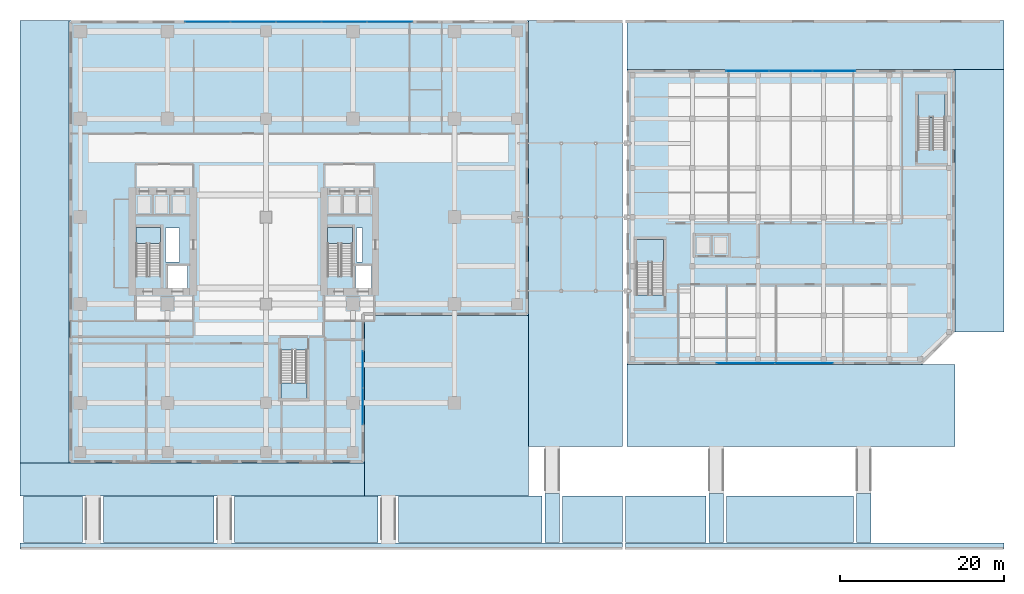
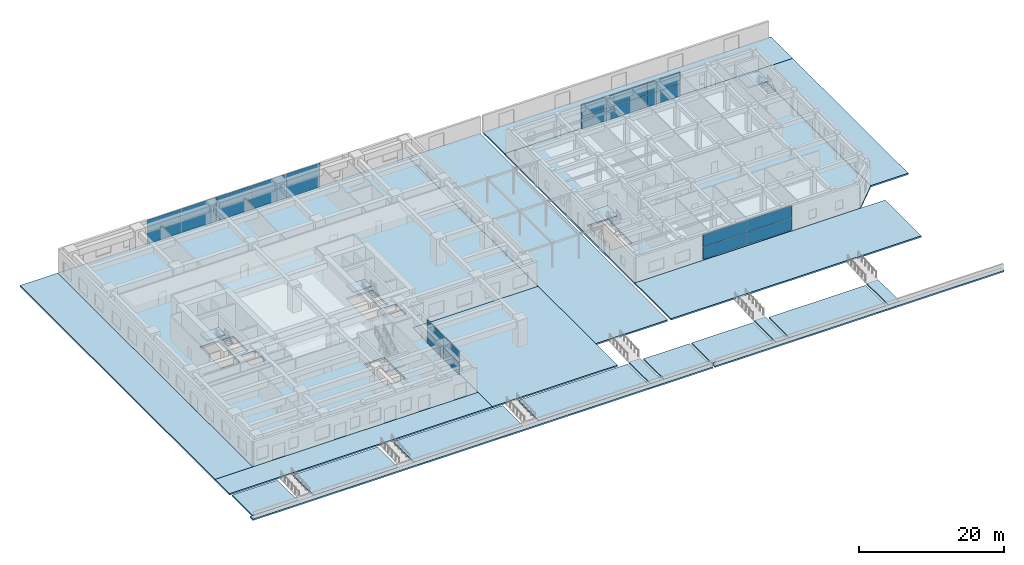
# One storey, part 22 of 39: 26 slabs, 24 plates, 9 elements without a shape of their own.
"""IFC4 building model written with IfcOpenShell, lengths in metres."""

from ifc_helpers import new_model, si_unit, direction, frame, origin, origin_2d, place, context, subcontext, project, spatial, polyline, rectangle, outline, extrude, source, transform, mapped, material, layer, layer_set, type_object, element, aggregate, save


model = new_model("IFC4")

# Units and contexts
model_context = context("Model", 3, precision=1e-05, world=origin(), true_north=direction((0.0, 1.0)))
body_context = subcontext(model_context, "Body", "Model", "MODEL_VIEW")
ifc_project = project(units=[si_unit("LENGTHUNIT", "METRE"), si_unit("AREAUNIT", "SQUARE_METRE"), si_unit("VOLUMEUNIT", "CUBIC_METRE"), si_unit("PLANEANGLEUNIT", "RADIAN"), si_unit("MASSUNIT", "GRAM", prefix="KILO")], contexts=[model_context])

# Site, building, storey
site_placement = place(None, origin())
site = spatial("IfcSite", under=ifc_project, at=site_placement, CompositionType="ELEMENT")
building_placement = place(site_placement, origin())
building = spatial("IfcBuilding", under=site, at=building_placement, Name="Khoralis Quay Care Tower", CompositionType="ELEMENT")
storey_placement = place(building_placement, origin())
storey = spatial("IfcBuildingStorey", under=building, at=storey_placement, Name="L00", CompositionType="ELEMENT", Elevation=0.0)

# Stair, slab
ifc_material_1 = material(Name="Precast concrete C45/55", Category="concrete")
stair_type_1 = type_object("IfcStairType", Name="ST-TWR-DOGLEG-1400", PredefinedType="HALF_TURN_STAIR", material=ifc_material_1)
stair_1_placement = place(storey_placement, origin())
stair_1 = element("IfcStair", 1, at=stair_1_placement, inside=storey, type_object=stair_type_1, Name="L00 West Core Exit Stair ST-T1", PredefinedType="HALF_TURN_STAIR")
ifc_layer_1 = layer(ifc_material_1, 0.199951171875)
ifc_layer_set_1 = layer_set([ifc_layer_1], Name="Precast concrete C45/55")
slab_type_1 = type_object("IfcSlabType", Name="SLB-LANDING-200", PredefinedType="LANDING", material=ifc_layer_set_1)
slab_1_placement = place(storey_placement, frame((0.0, 0.0, 2.050048828125)))
slab_1 = element("IfcSlab", 2, at=slab_1_placement, type_object=slab_type_1, Name="ST-T1 landing 1", PredefinedType="LANDING", context=body_context, shape_type="SweptSolid", body=[
    extrude(outline(polyline([(11.14990234375, 20.77001953125), (11.14990234375, 22.75), (8.14990234375, 22.75), (8.14990234375, 20.77001953125), (11.14990234375, 20.77001953125)])), origin(), (0.0, 0.0, 1.0), 0.199951171875),
])
aggregate(stair_1, [slab_1])

stair_2_placement = place(storey_placement, origin())
stair_2 = element("IfcStair", 3, at=stair_2_placement, inside=storey, type_object=stair_type_1, Name="L00 East Core Exit Stair ST-T2", PredefinedType="HALF_TURN_STAIR")
slab_2_placement = place(storey_placement, frame((0.0, 0.0, 2.050048828125)))
slab_2 = element("IfcSlab", 4, at=slab_2_placement, type_object=slab_type_1, Name="ST-T2 landing 1", PredefinedType="LANDING", context=body_context, shape_type="SweptSolid", body=[
    extrude(outline(polyline([(34.52001953125, 20.77001953125), (34.52001953125, 22.75), (31.52001953125, 22.75), (31.52001953125, 20.77001953125), (34.52001953125, 20.77001953125)])), origin(), (0.0, 0.0, 1.0), 0.199951171875),
])
aggregate(stair_2, [slab_2])

stair_type_2 = type_object("IfcStairType", Name="ST-POD-DOGLEG-1500", PredefinedType="HALF_TURN_STAIR", material=ifc_material_1)
stair_3_placement = place(storey_placement, origin())
stair_3 = element("IfcStair", 5, at=stair_3_placement, inside=storey, type_object=stair_type_2, Name="L00 Podium Clinical Stair ST-P1", PredefinedType="HALF_TURN_STAIR")
slab_3_placement = place(storey_placement, frame((0.0, 0.0, 2.050048828125)))
slab_3 = element("IfcSlab", 6, at=slab_3_placement, type_object=slab_type_1, Name="ST-P1 landing 1", PredefinedType="LANDING", context=body_context, shape_type="SweptSolid", body=[
    extrude(outline(polyline([(25.800048828125, 3.800048828125), (25.800048828125, 1.89990234375), (29.0, 1.89990234375), (29.0, 3.800048828125), (25.800048828125, 3.800048828125)])), origin(), (0.0, 0.0, 1.0), 0.199951171875),
])
aggregate(stair_3, [slab_3])

stair_type_3 = type_object("IfcStairType", Name="ST-SCH-DOGLEG-1550", PredefinedType="HALF_TURN_STAIR", material=ifc_material_1)
stair_4_placement = place(storey_placement, origin())
stair_4 = element("IfcStair", 7, at=stair_4_placement, inside=storey, type_object=stair_type_3, Name="L00 Companion School West Exit Stair ST-S1", PredefinedType="HALF_TURN_STAIR")
slab_4_placement = place(storey_placement, frame((0.0, 0.0, 2.050048828125)))
slab_4 = element("IfcSlab", 8, at=slab_4_placement, type_object=slab_type_1, Name="ST-S1 landing 1", PredefinedType="LANDING", context=body_context, shape_type="SweptSolid", body=[
    extrude(outline(polyline([(72.5, 18.47998046875), (72.5, 21.300048828125), (69.199951171875, 21.300048828125), (69.199951171875, 18.47998046875), (72.5, 18.47998046875)])), origin(), (0.0, 0.0, 1.0), 0.199951171875),
])
aggregate(stair_4, [slab_4])

stair_5_placement = place(storey_placement, origin())
stair_5 = element("IfcStair", 9, at=stair_5_placement, inside=storey, type_object=stair_type_3, Name="L00 Companion School East Exit Stair ST-S2", PredefinedType="HALF_TURN_STAIR")
slab_5_placement = place(storey_placement, frame((0.0, 0.0, 2.050048828125)))
slab_5 = element("IfcSlab", 10, at=slab_5_placement, type_object=slab_type_1, Name="ST-S2 landing 1", PredefinedType="LANDING", context=body_context, shape_type="SweptSolid", body=[
    extrude(outline(polyline([(106.800048828125, 36.179931640625), (106.800048828125, 39.0), (103.5, 39.0), (103.5, 36.179931640625), (106.800048828125, 36.179931640625)])), origin(), (0.0, 0.0, 1.0), 0.199951171875),
])
aggregate(stair_5, [slab_5])

# Slabs
ifc_material_2 = material(Name="Doha buff limestone paving on Concrete C40/50 bed", Category="masonry")
ifc_layer_2 = layer(ifc_material_2, 0.25)
ifc_layer_set_2 = layer_set([ifc_layer_2], Name="Doha buff limestone paving on Concrete C40/50 bed")
slab_type_2 = type_object("IfcSlabType", Name="SLB-PAVING-250", PredefinedType="USERDEFINED", material=ifc_layer_set_2)
slab_6_placement = place(storey_placement, frame((0.0, 0.0, -0.25)))
element("IfcSlab", 11, at=slab_6_placement, inside=storey, type_object=slab_type_2, Name="Waterfront Upper Promenade Paving SLB-QUAY-UP-0", ObjectType="PAVING", PredefinedType="USERDEFINED", context=body_context, shape_type="SweptSolid", body=[
    extrude(outline(polyline([(-6.0, -6.0), (0.0, -6.0), (0.0, 48.0), (-6.0, 48.0), (-6.0, -6.0)])), origin(), (0.0, 0.0, 1.0), 0.25),
])
slab_7_placement = place(storey_placement, frame((0.0, 0.0, -0.25)))
element("IfcSlab", 12, at=slab_7_placement, inside=storey, type_object=slab_type_2, Name="Waterfront Upper Promenade Paving SLB-QUAY-UP-1", ObjectType="PAVING", PredefinedType="USERDEFINED", context=body_context, shape_type="SweptSolid", body=[
    extrude(outline(polyline([(-6.0, -10.0), (36.0, -10.0), (36.0, -6.0), (-6.0, -6.0), (-6.0, -10.0)])), origin(), (0.0, 0.0, 1.0), 0.25),
])
slab_8_placement = place(storey_placement, frame((0.0, 0.0, -0.25)))
element("IfcSlab", 13, at=slab_8_placement, inside=storey, type_object=slab_type_2, Name="Waterfront Upper Promenade Paving SLB-QUAY-UP-2", ObjectType="PAVING", PredefinedType="USERDEFINED", context=body_context, shape_type="SweptSolid", body=[
    extrude(outline(polyline([(36.0, -10.0), (56.0, -10.0), (56.0, 12.0), (36.0, 12.0), (36.0, -10.0)])), origin(), (0.0, 0.0, 1.0), 0.25),
])
slab_9_placement = place(storey_placement, frame((0.0, 0.0, -0.25)))
element("IfcSlab", 14, at=slab_9_placement, inside=storey, type_object=slab_type_2, Name="Waterfront Upper Promenade Paving SLB-QUAY-UP-3", ObjectType="PAVING", PredefinedType="USERDEFINED", context=body_context, shape_type="SweptSolid", body=[
    extrude(outline(polyline([(56.0, -4.0), (67.47509765625, -4.0), (67.47509765625, 48.0), (56.0, 48.0), (56.0, -4.0)])), origin(), (0.0, 0.0, 1.0), 0.25),
])
slab_10_placement = place(storey_placement, frame((0.0, 0.0, -0.25)))
element("IfcSlab", 15, at=slab_10_placement, inside=storey, type_object=slab_type_2, Name="Waterfront Upper Promenade Paving SLB-QUAY-UP-4", ObjectType="PAVING", PredefinedType="USERDEFINED", context=body_context, shape_type="SweptSolid", body=[
    extrude(outline(polyline([(68.0, -4.0), (108.0, -4.0), (108.0, 6.0), (68.0, 6.0), (68.0, -4.0)])), origin(), (0.0, 0.0, 1.0), 0.25),
])
slab_11_placement = place(storey_placement, frame((0.0, 0.0, -0.25)))
element("IfcSlab", 16, at=slab_11_placement, inside=storey, type_object=slab_type_2, Name="Waterfront Upper Promenade Paving SLB-QUAY-UP-5", ObjectType="PAVING", PredefinedType="USERDEFINED", context=body_context, shape_type="SweptSolid", body=[
    extrude(outline(polyline([(108.0, 10.0), (114.0, 10.0), (114.0, 42.0), (108.0, 42.0), (108.0, 10.0)])), origin(), (0.0, 0.0, 1.0), 0.25),
])
slab_12_placement = place(storey_placement, frame((0.0, 0.0, -0.25)))
element("IfcSlab", 17, at=slab_12_placement, inside=storey, type_object=slab_type_2, Name="Waterfront Upper Promenade Paving SLB-QUAY-UP-6", ObjectType="PAVING", PredefinedType="USERDEFINED", context=body_context, shape_type="SweptSolid", body=[
    extrude(outline(polyline([(68.0, 42.0), (114.0, 42.0), (114.0, 48.0), (68.0, 48.0), (68.0, 42.0)])), origin(), (0.0, 0.0, 1.0), 0.25),
])
slab_13_placement = place(storey_placement, frame((0.0, 0.0, -0.610107421875)))
element("IfcSlab", 18, at=slab_13_placement, inside=storey, type_object=slab_type_2, Name="Waterfront Lower Quay Boardwalk Slab 1A", ObjectType="PAVING", PredefinedType="USERDEFINED", context=body_context, shape_type="SweptSolid", body=[
    extrude(outline(polyline([(-6.0, -16.5), (67.47509765625, -16.5), (67.47509765625, -15.719970703125), (-6.0, -15.719970703125), (-6.0, -16.5)])), origin(), (0.0, 0.0, 1.0), 0.25),
])
slab_14_placement = place(storey_placement, frame((0.0, 0.0, -0.610107421875)))
element("IfcSlab", 19, at=slab_14_placement, inside=storey, type_object=slab_type_2, Name="Waterfront Lower Quay Boardwalk Slab 1C", ObjectType="PAVING", PredefinedType="USERDEFINED", context=body_context, shape_type="SweptSolid", body=[
    extrude(outline(polyline([(67.824951171875, -16.5), (114.0, -16.5), (114.0, -15.719970703125), (67.824951171875, -15.719970703125), (67.824951171875, -16.5)])), origin(), (0.0, 0.0, 1.0), 0.25),
])
slab_15_placement = place(storey_placement, frame((0.0, 0.0, -0.610107421875)))
element("IfcSlab", 20, at=slab_15_placement, inside=storey, type_object=slab_type_2, Name="Quay Stepped Terrace Paving 1", ObjectType="PAVING", PredefinedType="USERDEFINED", context=body_context, shape_type="SweptSolid", body=[
    extrude(outline(polyline([(-5.60009765625, -15.699951171875), (1.639892578125, -15.699951171875), (1.639892578125, -10.02001953125), (-5.60009765625, -10.02001953125), (-5.60009765625, -15.699951171875)])), origin(), (0.0, 0.0, 1.0), 0.25),
])
slab_16_placement = place(storey_placement, frame((0.0, 0.0, -0.610107421875)))
element("IfcSlab", 21, at=slab_16_placement, inside=storey, type_object=slab_type_2, Name="Quay Stepped Terrace Paving 2", ObjectType="PAVING", PredefinedType="USERDEFINED", context=body_context, shape_type="SweptSolid", body=[
    extrude(outline(polyline([(4.159912109375, -15.699951171875), (17.639892578125, -15.699951171875), (17.639892578125, -10.02001953125), (4.159912109375, -10.02001953125), (4.159912109375, -15.699951171875)])), origin(), (0.0, 0.0, 1.0), 0.25),
])
slab_17_placement = place(storey_placement, frame((0.0, 0.0, -0.610107421875)))
element("IfcSlab", 22, at=slab_17_placement, inside=storey, type_object=slab_type_2, Name="Quay Stepped Terrace Paving 3", ObjectType="PAVING", PredefinedType="USERDEFINED", context=body_context, shape_type="SweptSolid", body=[
    extrude(outline(polyline([(20.159912109375, -15.699951171875), (37.639892578125, -15.699951171875), (37.639892578125, -10.02001953125), (20.159912109375, -10.02001953125), (20.159912109375, -15.699951171875)])), origin(), (0.0, 0.0, 1.0), 0.25),
])
slab_18_placement = place(storey_placement, frame((0.0, 0.0, -0.610107421875)))
element("IfcSlab", 23, at=slab_18_placement, inside=storey, type_object=slab_type_2, Name="Quay Stepped Terrace Paving 4", ObjectType="PAVING", PredefinedType="USERDEFINED", context=body_context, shape_type="SweptSolid", body=[
    extrude(outline(polyline([(40.159912109375, -15.699951171875), (57.639892578125, -15.699951171875), (57.639892578125, -10.02001953125), (40.159912109375, -10.02001953125), (40.159912109375, -15.699951171875)])), origin(), (0.0, 0.0, 1.0), 0.25),
])
slab_19_placement = place(storey_placement, frame((0.0, 0.0, -0.610107421875)))
element("IfcSlab", 24, at=slab_19_placement, inside=storey, type_object=slab_type_2, Name="Quay Ramp Lower Landing 4", ObjectType="PAVING", PredefinedType="USERDEFINED", context=body_context, shape_type="SweptSolid", body=[
    extrude(outline(polyline([(58.0, -15.699951171875), (59.800048828125, -15.699951171875), (59.800048828125, -9.679931640625), (58.0, -9.679931640625), (58.0, -15.699951171875)])), origin(), (0.0, 0.0, 1.0), 0.25),
])
slab_20_placement = place(storey_placement, frame((0.0, 0.0, -0.610107421875)))
element("IfcSlab", 25, at=slab_20_placement, inside=storey, type_object=slab_type_2, Name="Quay Stepped Terrace Paving 5A", ObjectType="PAVING", PredefinedType="USERDEFINED", context=body_context, shape_type="SweptSolid", body=[
    extrude(outline(polyline([(60.159912109375, -15.699951171875), (67.47509765625, -15.699951171875), (67.47509765625, -10.02001953125), (60.159912109375, -10.02001953125), (60.159912109375, -15.699951171875)])), origin(), (0.0, 0.0, 1.0), 0.25),
])
slab_21_placement = place(storey_placement, frame((0.0, 0.0, -0.610107421875)))
element("IfcSlab", 26, at=slab_21_placement, inside=storey, type_object=slab_type_2, Name="Quay Stepped Terrace Paving 5C", ObjectType="PAVING", PredefinedType="USERDEFINED", context=body_context, shape_type="SweptSolid", body=[
    extrude(outline(polyline([(67.824951171875, -15.699951171875), (77.639892578125, -15.699951171875), (77.639892578125, -10.02001953125), (67.824951171875, -10.02001953125), (67.824951171875, -15.699951171875)])), origin(), (0.0, 0.0, 1.0), 0.25),
])
slab_22_placement = place(storey_placement, frame((0.0, 0.0, -0.610107421875)))
element("IfcSlab", 27, at=slab_22_placement, inside=storey, type_object=slab_type_2, Name="Quay Ramp Lower Landing 5", ObjectType="PAVING", PredefinedType="USERDEFINED", context=body_context, shape_type="SweptSolid", body=[
    extrude(outline(polyline([(78.0, -15.699951171875), (79.800048828125, -15.699951171875), (79.800048828125, -9.679931640625), (78.0, -9.679931640625), (78.0, -15.699951171875)])), origin(), (0.0, 0.0, 1.0), 0.25),
])
slab_23_placement = place(storey_placement, frame((0.0, 0.0, -0.610107421875)))
element("IfcSlab", 28, at=slab_23_placement, inside=storey, type_object=slab_type_2, Name="Quay Stepped Terrace Paving 6", ObjectType="PAVING", PredefinedType="USERDEFINED", context=body_context, shape_type="SweptSolid", body=[
    extrude(outline(polyline([(80.159912109375, -15.699951171875), (95.639892578125, -15.699951171875), (95.639892578125, -10.02001953125), (80.159912109375, -10.02001953125), (80.159912109375, -15.699951171875)])), origin(), (0.0, 0.0, 1.0), 0.25),
])
slab_24_placement = place(storey_placement, frame((0.0, 0.0, -0.610107421875)))
element("IfcSlab", 29, at=slab_24_placement, inside=storey, type_object=slab_type_2, Name="Quay Ramp Lower Landing 6", ObjectType="PAVING", PredefinedType="USERDEFINED", context=body_context, shape_type="SweptSolid", body=[
    extrude(outline(polyline([(96.0, -15.699951171875), (97.800048828125, -15.699951171875), (97.800048828125, -9.679931640625), (96.0, -9.679931640625), (96.0, -15.699951171875)])), origin(), (0.0, 0.0, 1.0), 0.25),
])
ifc_material_3 = material(Name="Concrete C40/50", Category="concrete")
ifc_layer_3 = layer(ifc_material_3, 0.340087890625)
ifc_layer_set_3 = layer_set([ifc_layer_3], Name="Concrete C40/50")
slab_type_3 = type_object("IfcSlabType", Name="SLB-POD-340", PredefinedType="FLOOR", material=ifc_layer_set_3)
slab_25_placement = place(storey_placement, frame((0.0, 0.0, -0.340087890625)))
element("IfcSlab", 30, at=slab_25_placement, inside=storey, type_object=slab_type_3, Name="Tower Floor Slab L00", PredefinedType="FLOOR", context=body_context, shape_type="SweptSolid", body=[
    extrude(outline(polyline([(0.0, -6.0), (36.0, -6.0), (36.0, 12.0), (56.0, 12.0), (56.0, 48.0), (0.0, 48.0), (0.0, -6.0)]), holes=[polyline([(11.14990234375, 16.800048828125), (11.14990234375, 22.75), (8.14990234375, 22.75), (8.14990234375, 16.800048828125), (11.14990234375, 16.800048828125)]), polyline([(34.52001953125, 16.800048828125), (34.52001953125, 22.75), (31.52001953125, 22.75), (31.52001953125, 16.800048828125), (34.52001953125, 16.800048828125)]), polyline([(25.800048828125, 7.77001953125), (25.800048828125, 1.89990234375), (29.0, 1.89990234375), (29.0, 7.77001953125), (25.800048828125, 7.77001953125)]), polyline([(12.0, 15.35009765625), (14.39990234375, 15.35009765625), (14.39990234375, 18.050048828125), (12.0, 18.050048828125), (12.0, 15.35009765625)]), polyline([(34.919921875, 15.35009765625), (36.8798828125, 15.35009765625), (36.8798828125, 18.050048828125), (34.919921875, 18.050048828125), (34.919921875, 15.35009765625)]), polyline([(11.719970703125, 18.550048828125), (13.449951171875, 18.550048828125), (13.449951171875, 22.64990234375), (11.719970703125, 22.64990234375), (11.719970703125, 18.550048828125)]), polyline([(35.050048828125, 18.550048828125), (35.75, 18.550048828125), (35.75, 22.64990234375), (35.050048828125, 22.64990234375), (35.050048828125, 18.550048828125)])]), origin(), (0.0, 0.0, 1.0), 0.340087890625),
])
ifc_layer_4 = layer(ifc_material_3, 0.300048828125)
ifc_layer_set_4 = layer_set([ifc_layer_4], Name="Concrete C40/50")
slab_type_4 = type_object("IfcSlabType", Name="SLB-SCH-300", PredefinedType="FLOOR", material=ifc_layer_set_4)
slab_26_placement = place(storey_placement, frame((0.0, 0.0, -0.300048828125)))
element("IfcSlab", 31, at=slab_26_placement, inside=storey, type_object=slab_type_4, Name="Companion School Floor Slab L00", PredefinedType="FLOOR", context=body_context, shape_type="SweptSolid", body=[
    extrude(outline(polyline([(68.0, 6.0), (104.0, 6.0), (108.0, 10.0), (108.0, 42.0), (68.0, 42.0), (68.0, 6.0)]), holes=[polyline([(72.5, 14.510009765625), (72.5, 21.300048828125), (69.199951171875, 21.300048828125), (69.199951171875, 14.510009765625), (72.5, 14.510009765625)])]), origin(), (0.0, 0.0, 1.0), 0.300048828125),
])

# Curtain wall, plates
ifc_material_4 = material(Name="Pale anodised aluminium", Category="aluminium")
ifc_layer_5 = layer(ifc_material_4, 0.179931640625)
ifc_layer_set_5 = layer_set([ifc_layer_5], Name="Pale anodised aluminium")
curtain_wall_type_1 = type_object("IfcCurtainWallType", Name="CW-SYS-Z1", PredefinedType="NOTDEFINED", material=ifc_layer_set_5)
curtain_wall_1_placement = place(storey_placement, origin())
curtain_wall_1 = element("IfcCurtainWall", 32, at=curtain_wall_1_placement, inside=storey, type_object=curtain_wall_type_1, Name="L00 Unitised Curtain Wall CW-POD-L00-E1", PredefinedType="NOTDEFINED")
ifc_material_5 = material(Name="Low-E solar-control double glazing", Category="glass")
ifc_layer_6 = layer(ifc_material_5, 0.031982421875)
ifc_layer_set_6 = layer_set([ifc_layer_6], Name="Low-E solar-control double glazing")
plate_type = type_object("IfcPlateType", Name="PNL-VIS-32", PredefinedType="CURTAIN_PANEL", material=ifc_layer_set_6)
shared_shape_1 = source(origin(), body_context, "Body", "SweptSolid", [
    extrude(rectangle(XDim=4.409912109375, YDim=0.028076171875, at=origin_2d()), origin(), (0.0, 0.0, 1.0), 1.989990234375),
])
plate_1_placement = place(storey_placement, frame((35.81005859375, 0.955078125, 0.06005859375), z_axis=(0.0, 0.0, 1.0), x_axis=(0.0, 1.0, 0.0)))
plate_1 = element("IfcPlate", 33, at=plate_1_placement, type_object=plate_type, Name="CW1 panel 1.1", PredefinedType="CURTAIN_PANEL", context=body_context, shape_type="MappedRepresentation", body=[
    mapped(shared_shape_1, transform((0.0, 0.0, 0.0), scale=1.0)),
])
plate_2_placement = place(storey_placement, frame((35.81005859375, 0.955078125, 2.10986328125), z_axis=(0.0, 0.0, 1.0), x_axis=(0.0, 1.0, 0.0)))
plate_2 = element("IfcPlate", 34, at=plate_2_placement, type_object=plate_type, Name="CW1 panel 1.2", PredefinedType="CURTAIN_PANEL", context=body_context, shape_type="MappedRepresentation", body=[
    mapped(shared_shape_1, transform((0.0, 0.0, 0.0), scale=1.0)),
])
plate_3_placement = place(storey_placement, frame((35.81005859375, 5.425048828125, 0.06005859375), z_axis=(0.0, 0.0, 1.0), x_axis=(0.0, 1.0, 0.0)))
plate_3 = element("IfcPlate", 35, at=plate_3_placement, type_object=plate_type, Name="CW1 panel 2.1", PredefinedType="CURTAIN_PANEL", context=body_context, shape_type="MappedRepresentation", body=[
    mapped(shared_shape_1, transform((0.0, 0.0, 0.0), scale=1.0)),
])
plate_4_placement = place(storey_placement, frame((35.81005859375, 5.425048828125, 2.10986328125), z_axis=(0.0, 0.0, 1.0), x_axis=(0.0, 1.0, 0.0)))
plate_4 = element("IfcPlate", 36, at=plate_4_placement, type_object=plate_type, Name="CW1 panel 2.2", PredefinedType="CURTAIN_PANEL", context=body_context, shape_type="MappedRepresentation", body=[
    mapped(shared_shape_1, transform((0.0, 0.0, 0.0), scale=1.0)),
])
aggregate(curtain_wall_1, [plate_1, plate_2, plate_3, plate_4])

curtain_wall_2_placement = place(storey_placement, origin())
curtain_wall_2 = element("IfcCurtainWall", 37, at=curtain_wall_2_placement, inside=storey, type_object=curtain_wall_type_1, Name="L00 Unitised Curtain Wall CW-POD-L00-E4", PredefinedType="NOTDEFINED")
shared_shape_2 = source(origin(), body_context, "Body", "SweptSolid", [
    extrude(rectangle(XDim=5.471923828125, YDim=0.028076171875, at=origin_2d()), origin(), (0.0, 0.0, 1.0), 1.989990234375),
])
plate_5_placement = place(storey_placement, frame((39.10888671875, 47.81005859375, 0.06005859375), z_axis=(0.0, 0.0, 1.0), x_axis=(-1.0, 0.0, 0.0)))
plate_5 = element("IfcPlate", 38, at=plate_5_placement, type_object=plate_type, Name="CW1 panel 1.1", PredefinedType="CURTAIN_PANEL", context=body_context, shape_type="MappedRepresentation", body=[
    mapped(shared_shape_2, transform((0.0, 0.0, 0.0), scale=1.0)),
])
plate_6_placement = place(storey_placement, frame((39.10888671875, 47.81005859375, 2.10986328125), z_axis=(0.0, 0.0, 1.0), x_axis=(-1.0, 0.0, 0.0)))
plate_6 = element("IfcPlate", 39, at=plate_6_placement, type_object=plate_type, Name="CW1 panel 1.2", PredefinedType="CURTAIN_PANEL", context=body_context, shape_type="MappedRepresentation", body=[
    mapped(shared_shape_2, transform((0.0, 0.0, 0.0), scale=1.0)),
])
plate_7_placement = place(storey_placement, frame((16.89111328125, 47.81005859375, 0.06005859375), z_axis=(0.0, 0.0, 1.0), x_axis=(-1.0, 0.0, 0.0)))
plate_7 = element("IfcPlate", 40, at=plate_7_placement, type_object=plate_type, Name="CW1 panel 5.1", PredefinedType="CURTAIN_PANEL", context=body_context, shape_type="MappedRepresentation", body=[
    mapped(shared_shape_2, transform((0.0, 0.0, 0.0), scale=1.0)),
])
plate_8_placement = place(storey_placement, frame((16.89111328125, 47.81005859375, 2.10986328125), z_axis=(0.0, 0.0, 1.0), x_axis=(-1.0, 0.0, 0.0)))
plate_8 = element("IfcPlate", 41, at=plate_8_placement, type_object=plate_type, Name="CW1 panel 5.2", PredefinedType="CURTAIN_PANEL", context=body_context, shape_type="MappedRepresentation", body=[
    mapped(shared_shape_2, transform((0.0, 0.0, 0.0), scale=1.0)),
])
shared_shape_3 = source(origin(), body_context, "Body", "SweptSolid", [
    extrude(rectangle(XDim=5.501953125, YDim=0.028076171875, at=origin_2d()), origin(), (0.0, 0.0, 1.0), 1.989990234375),
])
plate_9_placement = place(storey_placement, frame((33.56201171875, 47.81005859375, 0.06005859375), z_axis=(0.0, 0.0, 1.0), x_axis=(-1.0, 0.0, 0.0)))
plate_9 = element("IfcPlate", 42, at=plate_9_placement, type_object=plate_type, Name="CW1 panel 2.1", PredefinedType="CURTAIN_PANEL", context=body_context, shape_type="MappedRepresentation", body=[
    mapped(shared_shape_3, transform((0.0, 0.0, 0.0), scale=1.0)),
])
plate_10_placement = place(storey_placement, frame((33.56201171875, 47.81005859375, 2.10986328125), z_axis=(0.0, 0.0, 1.0), x_axis=(-1.0, 0.0, 0.0)))
plate_10 = element("IfcPlate", 43, at=plate_10_placement, type_object=plate_type, Name="CW1 panel 2.2", PredefinedType="CURTAIN_PANEL", context=body_context, shape_type="MappedRepresentation", body=[
    mapped(shared_shape_3, transform((0.0, 0.0, 0.0), scale=1.0)),
])
plate_11_placement = place(storey_placement, frame((28.0, 47.81005859375, 0.06005859375), z_axis=(0.0, 0.0, 1.0), x_axis=(-1.0, 0.0, 0.0)))
plate_11 = element("IfcPlate", 44, at=plate_11_placement, type_object=plate_type, Name="CW1 panel 3.1", PredefinedType="CURTAIN_PANEL", context=body_context, shape_type="MappedRepresentation", body=[
    mapped(shared_shape_3, transform((0.0, 0.0, 0.0), scale=1.0)),
])
plate_12_placement = place(storey_placement, frame((28.0, 47.81005859375, 2.10986328125), z_axis=(0.0, 0.0, 1.0), x_axis=(-1.0, 0.0, 0.0)))
plate_12 = element("IfcPlate", 45, at=plate_12_placement, type_object=plate_type, Name="CW1 panel 3.2", PredefinedType="CURTAIN_PANEL", context=body_context, shape_type="MappedRepresentation", body=[
    mapped(shared_shape_3, transform((0.0, 0.0, 0.0), scale=1.0)),
])
plate_13_placement = place(storey_placement, frame((22.43798828125, 47.81005859375, 0.06005859375), z_axis=(0.0, 0.0, 1.0), x_axis=(-1.0, 0.0, 0.0)))
plate_13 = element("IfcPlate", 46, at=plate_13_placement, type_object=plate_type, Name="CW1 panel 4.1", PredefinedType="CURTAIN_PANEL", context=body_context, shape_type="MappedRepresentation", body=[
    mapped(shared_shape_3, transform((0.0, 0.0, 0.0), scale=1.0)),
])
plate_14_placement = place(storey_placement, frame((22.43798828125, 47.81005859375, 2.10986328125), z_axis=(0.0, 0.0, 1.0), x_axis=(-1.0, 0.0, 0.0)))
plate_14 = element("IfcPlate", 47, at=plate_14_placement, type_object=plate_type, Name="CW1 panel 4.2", PredefinedType="CURTAIN_PANEL", context=body_context, shape_type="MappedRepresentation", body=[
    mapped(shared_shape_3, transform((0.0, 0.0, 0.0), scale=1.0)),
])
aggregate(curtain_wall_2, [plate_5, plate_6, plate_9, plate_10, plate_11, plate_12, plate_13, plate_14, plate_7, plate_8])

ifc_layer_7 = layer(ifc_material_4, 0.14990234375)
ifc_layer_set_7 = layer_set([ifc_layer_7], Name="Pale anodised aluminium")
curtain_wall_type_2 = type_object("IfcCurtainWallType", Name="CW-SYS-SCHOOL", PredefinedType="NOTDEFINED", material=ifc_layer_set_7)
curtain_wall_3_placement = place(storey_placement, origin())
curtain_wall_3 = element("IfcCurtainWall", 48, at=curtain_wall_3_placement, inside=storey, type_object=curtain_wall_type_2, Name="L00 Unitised Curtain Wall CW-SCH-L00-E0", PredefinedType="NOTDEFINED")
shared_shape_4 = source(origin(), body_context, "Body", "SweptSolid", [
    extrude(rectangle(XDim=7.06201171875, YDim=0.028076171875, at=origin_2d()), origin(), (0.0, 0.0, 1.0), 2.010009765625),
])
plate_15_placement = place(storey_placement, frame((82.489013671875, 6.169921875, 0.06005859375), z_axis=(0.0, 0.0, 1.0), x_axis=(1.0, 0.0, 0.0)))
plate_15 = element("IfcPlate", 49, at=plate_15_placement, type_object=plate_type, Name="CW6 panel 1.1", PredefinedType="CURTAIN_PANEL", context=body_context, shape_type="MappedRepresentation", body=[
    mapped(shared_shape_4, transform((0.0, 0.0, 0.0), scale=1.0)),
])
plate_16_placement = place(storey_placement, frame((82.489013671875, 6.169921875, 2.1298828125), z_axis=(0.0, 0.0, 1.0), x_axis=(1.0, 0.0, 0.0)))
plate_16 = element("IfcPlate", 50, at=plate_16_placement, type_object=plate_type, Name="CW6 panel 1.2", PredefinedType="CURTAIN_PANEL", context=body_context, shape_type="MappedRepresentation", body=[
    mapped(shared_shape_4, transform((0.0, 0.0, 0.0), scale=1.0)),
])
plate_17_placement = place(storey_placement, frame((89.611083984375, 6.169921875, 0.06005859375), z_axis=(0.0, 0.0, 1.0), x_axis=(1.0, 0.0, 0.0)))
plate_17 = element("IfcPlate", 51, at=plate_17_placement, type_object=plate_type, Name="CW6 panel 2.1", PredefinedType="CURTAIN_PANEL", context=body_context, shape_type="MappedRepresentation", body=[
    mapped(shared_shape_4, transform((0.0, 0.0, 0.0), scale=1.0)),
])
plate_18_placement = place(storey_placement, frame((89.611083984375, 6.169921875, 2.1298828125), z_axis=(0.0, 0.0, 1.0), x_axis=(1.0, 0.0, 0.0)))
plate_18 = element("IfcPlate", 52, at=plate_18_placement, type_object=plate_type, Name="CW6 panel 2.2", PredefinedType="CURTAIN_PANEL", context=body_context, shape_type="MappedRepresentation", body=[
    mapped(shared_shape_4, transform((0.0, 0.0, 0.0), scale=1.0)),
])
aggregate(curtain_wall_3, [plate_15, plate_16, plate_17, plate_18])

curtain_wall_4_placement = place(storey_placement, origin())
curtain_wall_4 = element("IfcCurtainWall", 53, at=curtain_wall_4_placement, inside=storey, type_object=curtain_wall_type_2, Name="L00 Unitised Curtain Wall CW-SCH-L00-E3", PredefinedType="NOTDEFINED")
shared_shape_5 = source(origin(), body_context, "Body", "SweptSolid", [
    extrude(rectangle(XDim=5.197998046875, YDim=0.028076171875, at=origin_2d()), origin(), (0.0, 0.0, 1.0), 2.010009765625),
])
plate_19_placement = place(storey_placement, frame((93.27294921875, 41.830078125, 0.06005859375), z_axis=(0.0, 0.0, 1.0), x_axis=(-1.0, 0.0, 0.0)))
plate_19 = element("IfcPlate", 54, at=plate_19_placement, type_object=plate_type, Name="CW6 panel 1.1", PredefinedType="CURTAIN_PANEL", context=body_context, shape_type="MappedRepresentation", body=[
    mapped(shared_shape_5, transform((0.0, 0.0, 0.0), scale=1.0)),
])
plate_20_placement = place(storey_placement, frame((93.27294921875, 41.830078125, 2.1298828125), z_axis=(0.0, 0.0, 1.0), x_axis=(-1.0, 0.0, 0.0)))
plate_20 = element("IfcPlate", 55, at=plate_20_placement, type_object=plate_type, Name="CW6 panel 1.2", PredefinedType="CURTAIN_PANEL", context=body_context, shape_type="MappedRepresentation", body=[
    mapped(shared_shape_5, transform((0.0, 0.0, 0.0), scale=1.0)),
])
plate_21_placement = place(storey_placement, frame((82.72705078125, 41.830078125, 0.06005859375), z_axis=(0.0, 0.0, 1.0), x_axis=(-1.0, 0.0, 0.0)))
plate_21 = element("IfcPlate", 56, at=plate_21_placement, type_object=plate_type, Name="CW6 panel 3.1", PredefinedType="CURTAIN_PANEL", context=body_context, shape_type="MappedRepresentation", body=[
    mapped(shared_shape_5, transform((0.0, 0.0, 0.0), scale=1.0)),
])
plate_22_placement = place(storey_placement, frame((82.72705078125, 41.830078125, 2.1298828125), z_axis=(0.0, 0.0, 1.0), x_axis=(-1.0, 0.0, 0.0)))
plate_22 = element("IfcPlate", 57, at=plate_22_placement, type_object=plate_type, Name="CW6 panel 3.2", PredefinedType="CURTAIN_PANEL", context=body_context, shape_type="MappedRepresentation", body=[
    mapped(shared_shape_5, transform((0.0, 0.0, 0.0), scale=1.0)),
])
shared_shape_6 = source(origin(), body_context, "Body", "SweptSolid", [
    extrude(rectangle(XDim=5.22802734375, YDim=0.028076171875, at=origin_2d()), origin(), (0.0, 0.0, 1.0), 2.010009765625),
])
plate_23_placement = place(storey_placement, frame((88.0, 41.830078125, 0.06005859375), z_axis=(0.0, 0.0, 1.0), x_axis=(-1.0, 0.0, 0.0)))
plate_23 = element("IfcPlate", 58, at=plate_23_placement, type_object=plate_type, Name="CW6 panel 2.1", PredefinedType="CURTAIN_PANEL", context=body_context, shape_type="MappedRepresentation", body=[
    mapped(shared_shape_6, transform((0.0, 0.0, 0.0), scale=1.0)),
])
plate_24_placement = place(storey_placement, frame((88.0, 41.830078125, 2.1298828125), z_axis=(0.0, 0.0, 1.0), x_axis=(-1.0, 0.0, 0.0)))
plate_24 = element("IfcPlate", 59, at=plate_24_placement, type_object=plate_type, Name="CW6 panel 2.2", PredefinedType="CURTAIN_PANEL", context=body_context, shape_type="MappedRepresentation", body=[
    mapped(shared_shape_6, transform((0.0, 0.0, 0.0), scale=1.0)),
])
aggregate(curtain_wall_4, [plate_19, plate_20, plate_23, plate_24, plate_21, plate_22])

save(model, "model.ifc")
